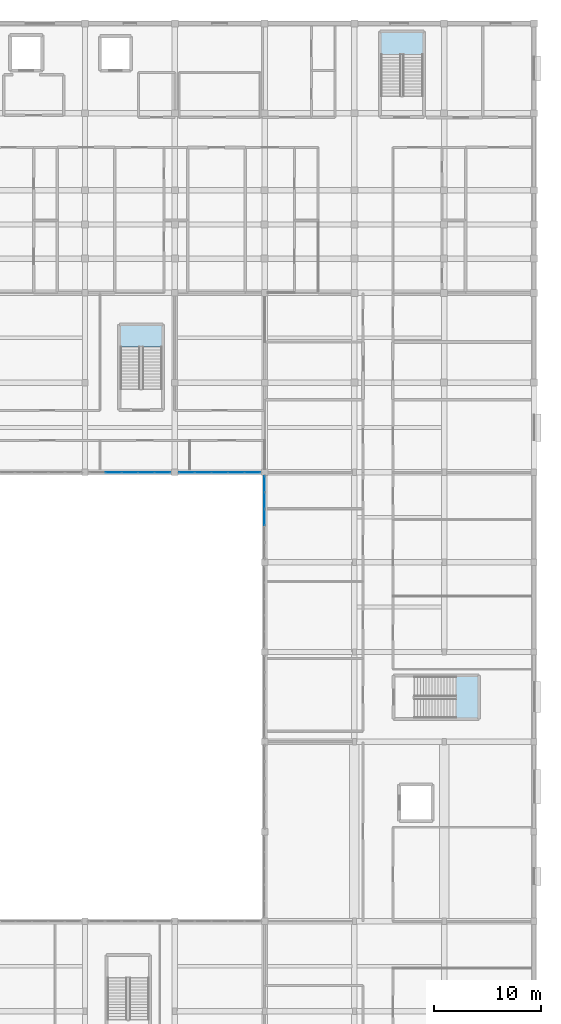
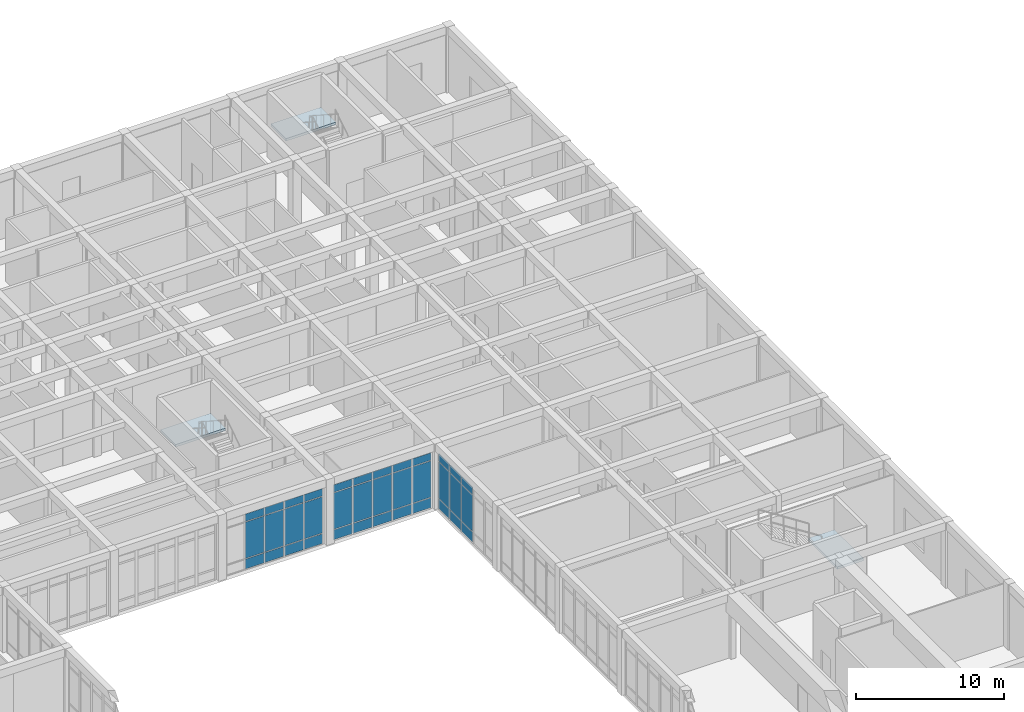
# One storey, part 51 of 89: 36 plates, 3 slabs, 6 elements without a shape of their own.
"""IFC4 building model written with IfcOpenShell, lengths in metres."""

from ifc_helpers import new_model, si_unit, direction, frame, origin, origin_2d, place, context, subcontext, project, spatial, polyline, rectangle, outline, extrude, material, layer, layer_set, type_object, element, aggregate, save


model = new_model("IFC4")

# Units and contexts
model_context = context("Model", 3, precision=1e-05, world=origin(), true_north=direction((0.0, 1.0)))
body_context = subcontext(model_context, "Body", "Model", "MODEL_VIEW")
ifc_project = project(units=[si_unit("LENGTHUNIT", "METRE"), si_unit("AREAUNIT", "SQUARE_METRE"), si_unit("VOLUMEUNIT", "CUBIC_METRE"), si_unit("PLANEANGLEUNIT", "RADIAN"), si_unit("MASSUNIT", "GRAM", prefix="KILO")], contexts=[model_context])

# Site, building, storey
site_placement = place(None, origin())
site = spatial("IfcSite", under=ifc_project, at=site_placement, CompositionType="ELEMENT")
building_placement = place(site_placement, origin())
building = spatial("IfcBuilding", under=site, at=building_placement, Name="Varncliffe General Hospital", CompositionType="ELEMENT")
storey_placement = place(building_placement, frame((0.0, 0.0, 10.800048828125)))
storey = spatial("IfcBuildingStorey", under=building, at=storey_placement, Name="L02", CompositionType="ELEMENT", Elevation=10.800048828125)

# Curtain wall, plates
ifc_material_1 = material(Name="Triple low-E argon insulated vision glazing", Category="glass")
curtain_wall_type_1 = type_object("IfcCurtainWallType", Name="Unitised Glazed Curtain Wall CW70 (7724x4640)", PredefinedType="USERDEFINED", material=ifc_material_1)
curtain_wall_1_placement = place(storey_placement, origin())
curtain_wall_1 = element("IfcCurtainWall", 1, at=curtain_wall_1_placement, inside=storey, type_object=curtain_wall_type_1, Name="L02 Glazed Curtain Wall CW70-127", ObjectType="GLAZED CURTAIN WALL", PredefinedType="USERDEFINED")
ifc_layer_1 = layer(ifc_material_1, 0.0439453125)
ifc_layer_set_1 = layer_set([ifc_layer_1], Name="Triple low-E argon insulated vision glazing")
plate_type_1 = type_object("IfcPlateType", Name="Curtain Wall Glazing Panel CP12 (44mm)", PredefinedType="CURTAIN_PANEL", material=ifc_layer_set_1)
plate_1_placement = place(storey_placement, frame((150.07080078125, 82.800048828125, 0.059814453125), z_axis=(0.0, 0.0, 1.0), x_axis=(-1.0, 0.0, 0.0)))
plate_1 = element("IfcPlate", 2, at=plate_1_placement, type_object=plate_type_1, Name="CW70 panel 1.1", PredefinedType="CURTAIN_PANEL", context=body_context, shape_type="SweptSolid", body=[
    extrude(rectangle(XDim=1.432373046875, YDim=0.0439453125, at=origin_2d()), origin(), (0.0, 0.0, 1.0), 0.81005859375),
])
plate_2_placement = place(storey_placement, frame((150.07080078125, 82.800048828125, 0.929931640625), z_axis=(0.0, 0.0, 1.0), x_axis=(-1.0, 0.0, 0.0)))
plate_2 = element("IfcPlate", 3, at=plate_2_placement, type_object=plate_type_1, Name="CW70 panel 1.2", PredefinedType="CURTAIN_PANEL", context=body_context, shape_type="SweptSolid", body=[
    extrude(rectangle(XDim=1.432373046875, YDim=0.0439453125, at=origin_2d()), origin(), (0.0, 0.0, 1.0), 2.97998046875),
])
plate_3_placement = place(storey_placement, frame((150.07080078125, 82.800048828125, 3.9697265625), z_axis=(0.0, 0.0, 1.0), x_axis=(-1.0, 0.0, 0.0)))
plate_3 = element("IfcPlate", 4, at=plate_3_placement, type_object=plate_type_1, Name="CW70 panel 1.3", PredefinedType="CURTAIN_PANEL", context=body_context, shape_type="SweptSolid", body=[
    extrude(rectangle(XDim=1.432373046875, YDim=0.0439453125, at=origin_2d()), origin(), (0.0, 0.0, 1.0), 0.610107421875),
])
plate_4_placement = place(storey_placement, frame((148.544921875, 82.800048828125, 0.059814453125), z_axis=(0.0, 0.0, 1.0), x_axis=(-1.0, 0.0, 0.0)))
plate_4 = element("IfcPlate", 5, at=plate_4_placement, type_object=plate_type_1, Name="CW70 panel 2.1", PredefinedType="CURTAIN_PANEL", context=body_context, shape_type="SweptSolid", body=[
    extrude(rectangle(XDim=1.4697265625, YDim=0.0439453125, at=origin_2d()), origin(), (0.0, 0.0, 1.0), 0.81005859375),
])
plate_5_placement = place(storey_placement, frame((148.544921875, 82.800048828125, 0.929931640625), z_axis=(0.0, 0.0, 1.0), x_axis=(-1.0, 0.0, 0.0)))
plate_5 = element("IfcPlate", 6, at=plate_5_placement, type_object=plate_type_1, Name="CW70 panel 2.2", PredefinedType="CURTAIN_PANEL", context=body_context, shape_type="SweptSolid", body=[
    extrude(rectangle(XDim=1.4697265625, YDim=0.0439453125, at=origin_2d()), origin(), (0.0, 0.0, 1.0), 2.97998046875),
])
plate_6_placement = place(storey_placement, frame((148.544921875, 82.800048828125, 3.9697265625), z_axis=(0.0, 0.0, 1.0), x_axis=(-1.0, 0.0, 0.0)))
plate_6 = element("IfcPlate", 7, at=plate_6_placement, type_object=plate_type_1, Name="CW70 panel 2.3", PredefinedType="CURTAIN_PANEL", context=body_context, shape_type="SweptSolid", body=[
    extrude(rectangle(XDim=1.4697265625, YDim=0.0439453125, at=origin_2d()), origin(), (0.0, 0.0, 1.0), 0.610107421875),
])
plate_7_placement = place(storey_placement, frame((147.0, 82.800048828125, 0.059814453125), z_axis=(0.0, 0.0, 1.0), x_axis=(-1.0, 0.0, 0.0)))
plate_7 = element("IfcPlate", 8, at=plate_7_placement, type_object=plate_type_1, Name="CW70 panel 3.1", PredefinedType="CURTAIN_PANEL", context=body_context, shape_type="SweptSolid", body=[
    extrude(rectangle(XDim=1.4697265625, YDim=0.0439453125, at=origin_2d()), origin(), (0.0, 0.0, 1.0), 0.81005859375),
])
plate_8_placement = place(storey_placement, frame((147.0, 82.800048828125, 0.929931640625), z_axis=(0.0, 0.0, 1.0), x_axis=(-1.0, 0.0, 0.0)))
plate_8 = element("IfcPlate", 9, at=plate_8_placement, type_object=plate_type_1, Name="CW70 panel 3.2", PredefinedType="CURTAIN_PANEL", context=body_context, shape_type="SweptSolid", body=[
    extrude(rectangle(XDim=1.4697265625, YDim=0.0439453125, at=origin_2d()), origin(), (0.0, 0.0, 1.0), 2.97998046875),
])
plate_9_placement = place(storey_placement, frame((147.0, 82.800048828125, 3.9697265625), z_axis=(0.0, 0.0, 1.0), x_axis=(-1.0, 0.0, 0.0)))
plate_9 = element("IfcPlate", 10, at=plate_9_placement, type_object=plate_type_1, Name="CW70 panel 3.3", PredefinedType="CURTAIN_PANEL", context=body_context, shape_type="SweptSolid", body=[
    extrude(rectangle(XDim=1.4697265625, YDim=0.0439453125, at=origin_2d()), origin(), (0.0, 0.0, 1.0), 0.610107421875),
])
plate_10_placement = place(storey_placement, frame((145.455078125, 82.800048828125, 0.059814453125), z_axis=(0.0, 0.0, 1.0), x_axis=(-1.0, 0.0, 0.0)))
plate_10 = element("IfcPlate", 11, at=plate_10_placement, type_object=plate_type_1, Name="CW70 panel 4.1", PredefinedType="CURTAIN_PANEL", context=body_context, shape_type="SweptSolid", body=[
    extrude(rectangle(XDim=1.4697265625, YDim=0.0439453125, at=origin_2d()), origin(), (0.0, 0.0, 1.0), 0.81005859375),
])
plate_11_placement = place(storey_placement, frame((145.455078125, 82.800048828125, 0.929931640625), z_axis=(0.0, 0.0, 1.0), x_axis=(-1.0, 0.0, 0.0)))
plate_11 = element("IfcPlate", 12, at=plate_11_placement, type_object=plate_type_1, Name="CW70 panel 4.2", PredefinedType="CURTAIN_PANEL", context=body_context, shape_type="SweptSolid", body=[
    extrude(rectangle(XDim=1.4697265625, YDim=0.0439453125, at=origin_2d()), origin(), (0.0, 0.0, 1.0), 2.97998046875),
])
plate_12_placement = place(storey_placement, frame((145.455078125, 82.800048828125, 3.9697265625), z_axis=(0.0, 0.0, 1.0), x_axis=(-1.0, 0.0, 0.0)))
plate_12 = element("IfcPlate", 13, at=plate_12_placement, type_object=plate_type_1, Name="CW70 panel 4.3", PredefinedType="CURTAIN_PANEL", context=body_context, shape_type="SweptSolid", body=[
    extrude(rectangle(XDim=1.4697265625, YDim=0.0439453125, at=origin_2d()), origin(), (0.0, 0.0, 1.0), 0.610107421875),
])
plate_13_placement = place(storey_placement, frame((143.92919921875, 82.800048828125, 0.059814453125), z_axis=(0.0, 0.0, 1.0), x_axis=(-1.0, 0.0, 0.0)))
plate_13 = element("IfcPlate", 14, at=plate_13_placement, type_object=plate_type_1, Name="CW70 panel 5.1", PredefinedType="CURTAIN_PANEL", context=body_context, shape_type="SweptSolid", body=[
    extrude(rectangle(XDim=1.432373046875, YDim=0.0439453125, at=origin_2d()), origin(), (0.0, 0.0, 1.0), 0.81005859375),
])
plate_14_placement = place(storey_placement, frame((143.92919921875, 82.800048828125, 0.929931640625), z_axis=(0.0, 0.0, 1.0), x_axis=(-1.0, 0.0, 0.0)))
plate_14 = element("IfcPlate", 15, at=plate_14_placement, type_object=plate_type_1, Name="CW70 panel 5.2", PredefinedType="CURTAIN_PANEL", context=body_context, shape_type="SweptSolid", body=[
    extrude(rectangle(XDim=1.432373046875, YDim=0.0439453125, at=origin_2d()), origin(), (0.0, 0.0, 1.0), 2.97998046875),
])
plate_15_placement = place(storey_placement, frame((143.92919921875, 82.800048828125, 3.9697265625), z_axis=(0.0, 0.0, 1.0), x_axis=(-1.0, 0.0, 0.0)))
plate_15 = element("IfcPlate", 16, at=plate_15_placement, type_object=plate_type_1, Name="CW70 panel 5.3", PredefinedType="CURTAIN_PANEL", context=body_context, shape_type="SweptSolid", body=[
    extrude(rectangle(XDim=1.432373046875, YDim=0.0439453125, at=origin_2d()), origin(), (0.0, 0.0, 1.0), 0.610107421875),
])
aggregate(curtain_wall_1, [plate_1, plate_2, plate_3, plate_4, plate_5, plate_6, plate_7, plate_8, plate_9, plate_10, plate_11, plate_12, plate_13, plate_14, plate_15])

curtain_wall_type_2 = type_object("IfcCurtainWallType", Name="Unitised Glazed Curtain Wall CW85 (7804x4640)", PredefinedType="USERDEFINED", material=ifc_material_1)
curtain_wall_2_placement = place(storey_placement, origin())
curtain_wall_2 = element("IfcCurtainWall", 17, at=curtain_wall_2_placement, inside=storey, type_object=curtain_wall_type_2, Name="L02 Glazed Curtain Wall CW85-126", ObjectType="GLAZED CURTAIN WALL", PredefinedType="USERDEFINED")
ifc_layer_2 = layer(ifc_material_1, 0.035888671875)
ifc_layer_set_2 = layer_set([ifc_layer_2], Name="Triple low-E argon insulated vision glazing")
plate_type_2 = type_object("IfcPlateType", Name="Curtain Wall Glazing Panel CP27 (36mm)", PredefinedType="CURTAIN_PANEL", material=ifc_layer_set_2)
plate_16_placement = place(storey_placement, frame((151.199951171875, 78.60009765625, 0.06494140625), z_axis=(0.0, 0.0, 1.0), x_axis=(0.0, 1.0, 0.0)))
plate_16 = element("IfcPlate", 18, at=plate_16_placement, type_object=plate_type_2, Name="CW85 panel 3.1", PredefinedType="CURTAIN_PANEL", context=body_context, shape_type="SweptSolid", body=[
    extrude(rectangle(XDim=1.48583984375, YDim=0.035888671875, at=origin_2d()), origin(), (0.0, 0.0, 1.0), 0.802490234375),
])
plate_17_placement = place(storey_placement, frame((151.199951171875, 78.60009765625, 0.932373046875), z_axis=(0.0, 0.0, 1.0), x_axis=(0.0, 1.0, 0.0)))
plate_17 = element("IfcPlate", 19, at=plate_17_placement, type_object=plate_type_2, Name="CW85 panel 3.2", PredefinedType="CURTAIN_PANEL", context=body_context, shape_type="SweptSolid", body=[
    extrude(rectangle(XDim=1.48583984375, YDim=0.035888671875, at=origin_2d()), origin(), (0.0, 0.0, 1.0), 2.97509765625),
])
plate_18_placement = place(storey_placement, frame((151.199951171875, 78.60009765625, 3.972412109375), z_axis=(0.0, 0.0, 1.0), x_axis=(0.0, 1.0, 0.0)))
plate_18 = element("IfcPlate", 20, at=plate_18_placement, type_object=plate_type_2, Name="CW85 panel 3.3", PredefinedType="CURTAIN_PANEL", context=body_context, shape_type="SweptSolid", body=[
    extrude(rectangle(XDim=1.48583984375, YDim=0.035888671875, at=origin_2d()), origin(), (0.0, 0.0, 1.0), 0.6025390625),
])
plate_19_placement = place(storey_placement, frame((151.199951171875, 80.160888671875, 0.06494140625), z_axis=(0.0, 0.0, 1.0), x_axis=(0.0, 1.0, 0.0)))
plate_19 = element("IfcPlate", 21, at=plate_19_placement, type_object=plate_type_2, Name="CW85 panel 4.1", PredefinedType="CURTAIN_PANEL", context=body_context, shape_type="SweptSolid", body=[
    extrude(rectangle(XDim=1.48583984375, YDim=0.035888671875, at=origin_2d()), origin(), (0.0, 0.0, 1.0), 0.802490234375),
])
plate_20_placement = place(storey_placement, frame((151.199951171875, 80.160888671875, 0.932373046875), z_axis=(0.0, 0.0, 1.0), x_axis=(0.0, 1.0, 0.0)))
plate_20 = element("IfcPlate", 22, at=plate_20_placement, type_object=plate_type_2, Name="CW85 panel 4.2", PredefinedType="CURTAIN_PANEL", context=body_context, shape_type="SweptSolid", body=[
    extrude(rectangle(XDim=1.48583984375, YDim=0.035888671875, at=origin_2d()), origin(), (0.0, 0.0, 1.0), 2.97509765625),
])
plate_21_placement = place(storey_placement, frame((151.199951171875, 80.160888671875, 3.972412109375), z_axis=(0.0, 0.0, 1.0), x_axis=(0.0, 1.0, 0.0)))
plate_21 = element("IfcPlate", 23, at=plate_21_placement, type_object=plate_type_2, Name="CW85 panel 4.3", PredefinedType="CURTAIN_PANEL", context=body_context, shape_type="SweptSolid", body=[
    extrude(rectangle(XDim=1.48583984375, YDim=0.035888671875, at=origin_2d()), origin(), (0.0, 0.0, 1.0), 0.6025390625),
])
plate_22_placement = place(storey_placement, frame((151.199951171875, 81.702880859375, 0.06494140625), z_axis=(0.0, 0.0, 1.0), x_axis=(0.0, 1.0, 0.0)))
plate_22 = element("IfcPlate", 24, at=plate_22_placement, type_object=plate_type_2, Name="CW85 panel 5.1", PredefinedType="CURTAIN_PANEL", context=body_context, shape_type="SweptSolid", body=[
    extrude(rectangle(XDim=1.4482421875, YDim=0.035888671875, at=origin_2d()), origin(), (0.0, 0.0, 1.0), 0.802490234375),
])
plate_23_placement = place(storey_placement, frame((151.199951171875, 81.702880859375, 0.932373046875), z_axis=(0.0, 0.0, 1.0), x_axis=(0.0, 1.0, 0.0)))
plate_23 = element("IfcPlate", 25, at=plate_23_placement, type_object=plate_type_2, Name="CW85 panel 5.2", PredefinedType="CURTAIN_PANEL", context=body_context, shape_type="SweptSolid", body=[
    extrude(rectangle(XDim=1.4482421875, YDim=0.035888671875, at=origin_2d()), origin(), (0.0, 0.0, 1.0), 2.97509765625),
])
plate_24_placement = place(storey_placement, frame((151.199951171875, 81.702880859375, 3.972412109375), z_axis=(0.0, 0.0, 1.0), x_axis=(0.0, 1.0, 0.0)))
plate_24 = element("IfcPlate", 26, at=plate_24_placement, type_object=plate_type_2, Name="CW85 panel 5.3", PredefinedType="CURTAIN_PANEL", context=body_context, shape_type="SweptSolid", body=[
    extrude(rectangle(XDim=1.4482421875, YDim=0.035888671875, at=origin_2d()), origin(), (0.0, 0.0, 1.0), 0.6025390625),
])
aggregate(curtain_wall_2, [plate_16, plate_17, plate_18, plate_19, plate_20, plate_21, plate_22, plate_23, plate_24])

curtain_wall_type_3 = type_object("IfcCurtainWallType", Name="Unitised Glazed Curtain Wall CW27 (7644x4640)", PredefinedType="USERDEFINED", material=ifc_material_1)
curtain_wall_3_placement = place(storey_placement, origin())
curtain_wall_3 = element("IfcCurtainWall", 27, at=curtain_wall_3_placement, inside=storey, type_object=curtain_wall_type_3, Name="L02 Glazed Curtain Wall CW27-128", ObjectType="GLAZED CURTAIN WALL", PredefinedType="USERDEFINED")
ifc_layer_3 = layer(ifc_material_1, 0.028076171875)
ifc_layer_set_3 = layer_set([ifc_layer_3], Name="Triple low-E argon insulated vision glazing")
plate_type_3 = type_object("IfcPlateType", Name="Curtain Wall Glazing Panel CP48 (28mm)", PredefinedType="CURTAIN_PANEL", material=ifc_layer_set_3)
plate_25_placement = place(storey_placement, frame((141.641357421875, 82.800048828125, 0.059814453125), z_axis=(0.0, 0.0, 1.0), x_axis=(-1.0, 0.0, 0.0)))
plate_25 = element("IfcPlate", 28, at=plate_25_placement, type_object=plate_type_3, Name="CW27 panel 1.1", PredefinedType="CURTAIN_PANEL", context=body_context, shape_type="SweptSolid", body=[
    extrude(rectangle(XDim=1.431396484375, YDim=0.028076171875, at=origin_2d()), origin(), (0.0, 0.0, 1.0), 0.81005859375),
])
plate_26_placement = place(storey_placement, frame((141.641357421875, 82.800048828125, 0.929931640625), z_axis=(0.0, 0.0, 1.0), x_axis=(-1.0, 0.0, 0.0)))
plate_26 = element("IfcPlate", 29, at=plate_26_placement, type_object=plate_type_3, Name="CW27 panel 1.2", PredefinedType="CURTAIN_PANEL", context=body_context, shape_type="SweptSolid", body=[
    extrude(rectangle(XDim=1.431396484375, YDim=0.028076171875, at=origin_2d()), origin(), (0.0, 0.0, 1.0), 2.97998046875),
])
plate_27_placement = place(storey_placement, frame((141.641357421875, 82.800048828125, 3.9697265625), z_axis=(0.0, 0.0, 1.0), x_axis=(-1.0, 0.0, 0.0)))
plate_27 = element("IfcPlate", 30, at=plate_27_placement, type_object=plate_type_3, Name="CW27 panel 1.3", PredefinedType="CURTAIN_PANEL", context=body_context, shape_type="SweptSolid", body=[
    extrude(rectangle(XDim=1.431396484375, YDim=0.028076171875, at=origin_2d()), origin(), (0.0, 0.0, 1.0), 0.610107421875),
])
plate_28_placement = place(storey_placement, frame((140.12890625, 82.800048828125, 0.059814453125), z_axis=(0.0, 0.0, 1.0), x_axis=(-1.0, 0.0, 0.0)))
plate_28 = element("IfcPlate", 31, at=plate_28_placement, type_object=plate_type_3, Name="CW27 panel 2.1", PredefinedType="CURTAIN_PANEL", context=body_context, shape_type="SweptSolid", body=[
    extrude(rectangle(XDim=1.4638671875, YDim=0.028076171875, at=origin_2d()), origin(), (0.0, 0.0, 1.0), 0.81005859375),
])
plate_29_placement = place(storey_placement, frame((140.12890625, 82.800048828125, 0.929931640625), z_axis=(0.0, 0.0, 1.0), x_axis=(-1.0, 0.0, 0.0)))
plate_29 = element("IfcPlate", 32, at=plate_29_placement, type_object=plate_type_3, Name="CW27 panel 2.2", PredefinedType="CURTAIN_PANEL", context=body_context, shape_type="SweptSolid", body=[
    extrude(rectangle(XDim=1.4638671875, YDim=0.028076171875, at=origin_2d()), origin(), (0.0, 0.0, 1.0), 2.97998046875),
])
plate_30_placement = place(storey_placement, frame((140.12890625, 82.800048828125, 3.9697265625), z_axis=(0.0, 0.0, 1.0), x_axis=(-1.0, 0.0, 0.0)))
plate_30 = element("IfcPlate", 33, at=plate_30_placement, type_object=plate_type_3, Name="CW27 panel 2.3", PredefinedType="CURTAIN_PANEL", context=body_context, shape_type="SweptSolid", body=[
    extrude(rectangle(XDim=1.4638671875, YDim=0.028076171875, at=origin_2d()), origin(), (0.0, 0.0, 1.0), 0.610107421875),
])
plate_31_placement = place(storey_placement, frame((138.60009765625, 82.800048828125, 0.059814453125), z_axis=(0.0, 0.0, 1.0), x_axis=(-1.0, 0.0, 0.0)))
plate_31 = element("IfcPlate", 34, at=plate_31_placement, type_object=plate_type_3, Name="CW27 panel 3.1", PredefinedType="CURTAIN_PANEL", context=body_context, shape_type="SweptSolid", body=[
    extrude(rectangle(XDim=1.4638671875, YDim=0.028076171875, at=origin_2d()), origin(), (0.0, 0.0, 1.0), 0.81005859375),
])
plate_32_placement = place(storey_placement, frame((138.60009765625, 82.800048828125, 0.929931640625), z_axis=(0.0, 0.0, 1.0), x_axis=(-1.0, 0.0, 0.0)))
plate_32 = element("IfcPlate", 35, at=plate_32_placement, type_object=plate_type_3, Name="CW27 panel 3.2", PredefinedType="CURTAIN_PANEL", context=body_context, shape_type="SweptSolid", body=[
    extrude(rectangle(XDim=1.4638671875, YDim=0.028076171875, at=origin_2d()), origin(), (0.0, 0.0, 1.0), 2.97998046875),
])
plate_33_placement = place(storey_placement, frame((138.60009765625, 82.800048828125, 3.9697265625), z_axis=(0.0, 0.0, 1.0), x_axis=(-1.0, 0.0, 0.0)))
plate_33 = element("IfcPlate", 36, at=plate_33_placement, type_object=plate_type_3, Name="CW27 panel 3.3", PredefinedType="CURTAIN_PANEL", context=body_context, shape_type="SweptSolid", body=[
    extrude(rectangle(XDim=1.4638671875, YDim=0.028076171875, at=origin_2d()), origin(), (0.0, 0.0, 1.0), 0.610107421875),
])
plate_34_placement = place(storey_placement, frame((137.0712890625, 82.800048828125, 0.059814453125), z_axis=(0.0, 0.0, 1.0), x_axis=(-1.0, 0.0, 0.0)))
plate_34 = element("IfcPlate", 37, at=plate_34_placement, type_object=plate_type_3, Name="CW27 panel 4.1", PredefinedType="CURTAIN_PANEL", context=body_context, shape_type="SweptSolid", body=[
    extrude(rectangle(XDim=1.4638671875, YDim=0.028076171875, at=origin_2d()), origin(), (0.0, 0.0, 1.0), 0.81005859375),
])
plate_35_placement = place(storey_placement, frame((137.0712890625, 82.800048828125, 0.929931640625), z_axis=(0.0, 0.0, 1.0), x_axis=(-1.0, 0.0, 0.0)))
plate_35 = element("IfcPlate", 38, at=plate_35_placement, type_object=plate_type_3, Name="CW27 panel 4.2", PredefinedType="CURTAIN_PANEL", context=body_context, shape_type="SweptSolid", body=[
    extrude(rectangle(XDim=1.4638671875, YDim=0.028076171875, at=origin_2d()), origin(), (0.0, 0.0, 1.0), 2.97998046875),
])
plate_36_placement = place(storey_placement, frame((137.0712890625, 82.800048828125, 3.9697265625), z_axis=(0.0, 0.0, 1.0), x_axis=(-1.0, 0.0, 0.0)))
plate_36 = element("IfcPlate", 39, at=plate_36_placement, type_object=plate_type_3, Name="CW27 panel 4.3", PredefinedType="CURTAIN_PANEL", context=body_context, shape_type="SweptSolid", body=[
    extrude(rectangle(XDim=1.4638671875, YDim=0.028076171875, at=origin_2d()), origin(), (0.0, 0.0, 1.0), 0.610107421875),
])
aggregate(curtain_wall_3, [plate_25, plate_26, plate_27, plate_28, plate_29, plate_30, plate_31, plate_32, plate_33, plate_34, plate_35, plate_36])

# Stair, slab
ifc_material_2 = material(Name="Concrete C35/45 (CSA A23.1 35 MPa)", Category="concrete")
stair_type = type_object("IfcStairType", Name="Hospital Stair Assembly ST-T02 (1850w-5400h)", PredefinedType="TWO_STRAIGHT_RUN_STAIR", material=ifc_material_2)
stair_1_placement = place(storey_placement, origin())
stair_1 = element("IfcStair", 40, at=stair_1_placement, inside=storey, type_object=stair_type, Name="L02 North-East Ward Exit Stair 4", PredefinedType="TWO_STRAIGHT_RUN_STAIR")
ifc_layer_4 = layer(ifc_material_2, 0.199951171875)
ifc_layer_set_4 = layer_set([ifc_layer_4], Name="Concrete C35/45 (CSA A23.1 35 MPa)")
slab_type = type_object("IfcSlabType", Name="Reinforced Concrete Stair Landing LND50 (200mm)", PredefinedType="LANDING", material=ifc_layer_set_4)
slab_1_placement = place(storey_placement, frame((0.0, 0.0, 2.5)))
slab_1 = element("IfcSlab", 41, at=slab_1_placement, type_object=slab_type, Name="ST04 landing 1", PredefinedType="LANDING", context=body_context, shape_type="SweptSolid", body=[
    extrude(outline(polyline([(166.0, 121.919921875), (166.0, 123.949951171875), (162.10009765625, 123.949951171875), (162.10009765625, 121.919921875), (166.0, 121.919921875)])), origin(), (0.0, 0.0, 1.0), 0.199951171875),
])
aggregate(stair_1, [slab_1])

stair_2_placement = place(storey_placement, origin())
stair_2 = element("IfcStair", 42, at=stair_2_placement, inside=storey, type_object=stair_type, Name="L02 Outpatient East Exit Stair 7", PredefinedType="TWO_STRAIGHT_RUN_STAIR")
slab_2_placement = place(storey_placement, frame((0.0, 0.0, 2.5)))
slab_2 = element("IfcSlab", 43, at=slab_2_placement, type_object=slab_type, Name="ST07 landing 1", PredefinedType="LANDING", context=body_context, shape_type="SweptSolid", body=[
    extrude(outline(polyline([(169.1201171875, 59.800048828125), (171.14990234375, 59.800048828125), (171.14990234375, 63.699951171875), (169.1201171875, 63.699951171875), (169.1201171875, 59.800048828125)])), origin(), (0.0, 0.0, 1.0), 0.199951171875),
])
aggregate(stair_2, [slab_2])

stair_3_placement = place(storey_placement, origin())
stair_3 = element("IfcStair", 44, at=stair_3_placement, inside=storey, type_object=stair_type, Name="L02 East-Central Clinical Exit Stair 14", PredefinedType="TWO_STRAIGHT_RUN_STAIR")
slab_3_placement = place(storey_placement, frame((0.0, 0.0, 2.5)))
slab_3 = element("IfcSlab", 45, at=slab_3_placement, type_object=slab_type, Name="ST14 landing 1", PredefinedType="LANDING", context=body_context, shape_type="SweptSolid", body=[
    extrude(outline(polyline([(141.60009765625, 94.52001953125), (141.60009765625, 96.550048828125), (137.699951171875, 96.550048828125), (137.699951171875, 94.52001953125), (141.60009765625, 94.52001953125)])), origin(), (0.0, 0.0, 1.0), 0.199951171875),
])
aggregate(stair_3, [slab_3])

save(model, "model.ifc")
